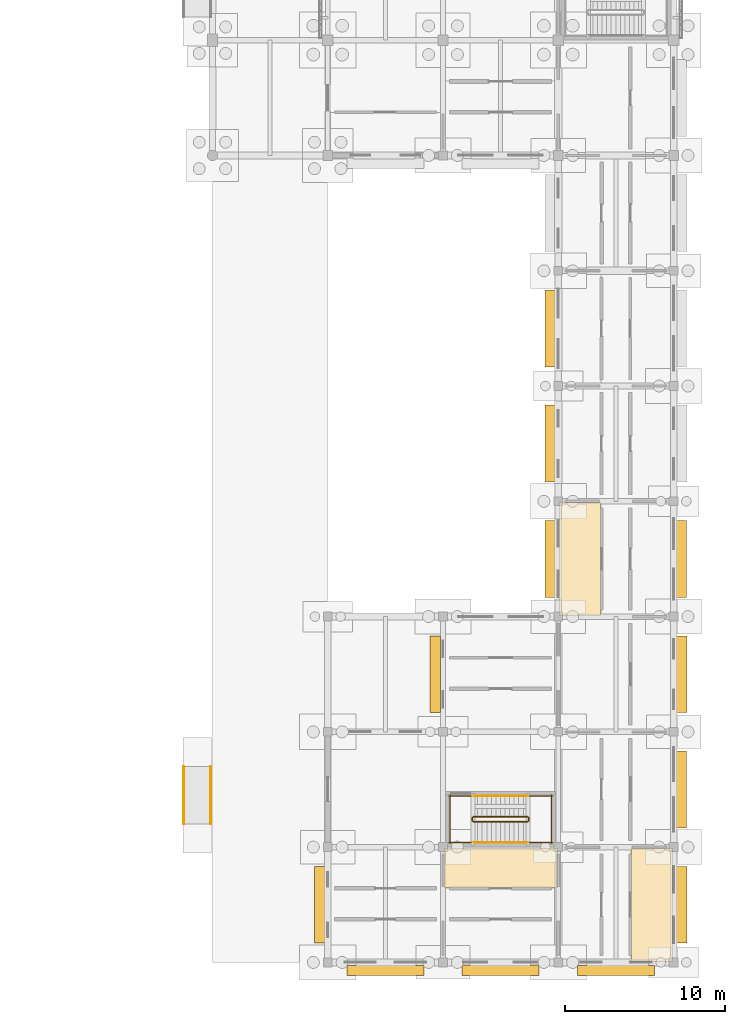
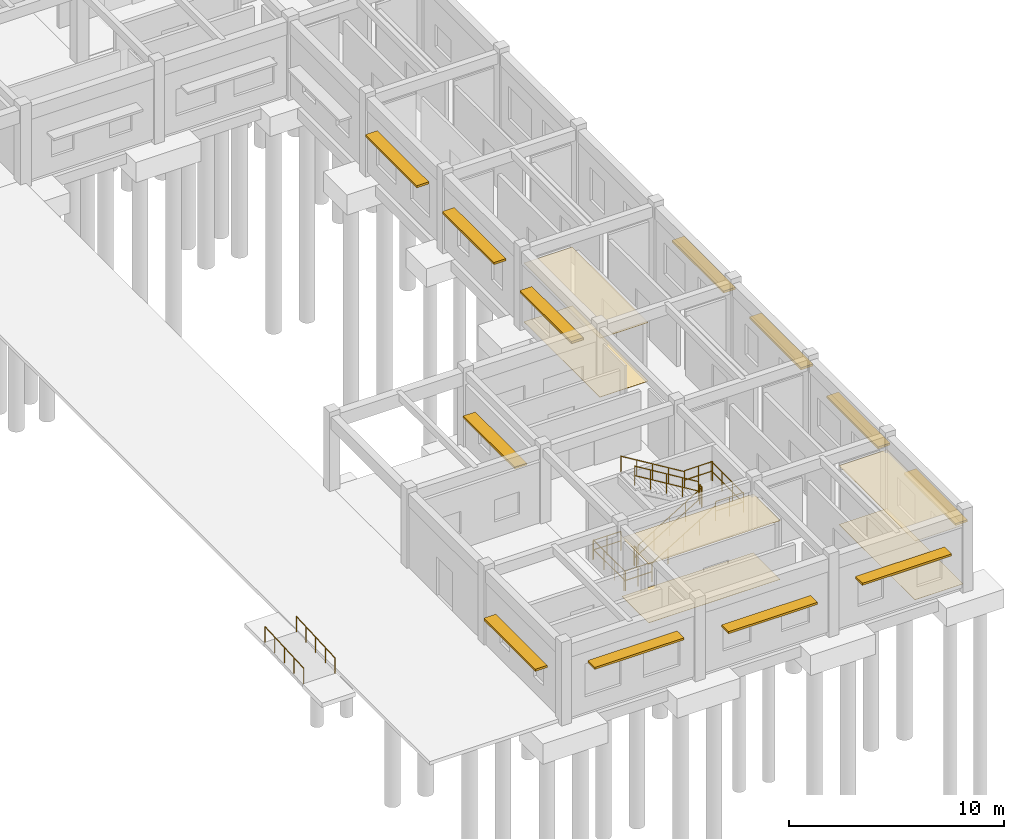
# One storey, part 107 of 111: 14 railings, 12 shading devices, 6 coverings.
"""IFC4 building model written with IfcOpenShell, lengths in metres."""

from ifc_helpers import new_model, si_unit, direction, frame, origin, origin_2d, place, context, subcontext, project, spatial, polyline, rectangle, circle, outline, extrude, material, layer, layer_set, type_object, element, save


model = new_model("IFC4")

# Units and contexts
model_context = context("Model", 3, precision=1e-05, world=origin(), true_north=direction((0.0, 1.0)))
body_context = subcontext(model_context, "Body", "Model", "MODEL_VIEW")
ifc_project = project(units=[si_unit("LENGTHUNIT", "METRE"), si_unit("AREAUNIT", "SQUARE_METRE"), si_unit("VOLUMEUNIT", "CUBIC_METRE"), si_unit("PLANEANGLEUNIT", "RADIAN"), si_unit("MASSUNIT", "GRAM", prefix="KILO")], contexts=[model_context])

# Site, building, storey
site_placement = place(None, origin())
site = spatial("IfcSite", under=ifc_project, at=site_placement, CompositionType="ELEMENT")
building_placement = place(site_placement, origin())
building = spatial("IfcBuilding", under=site, at=building_placement, Name="Aldebral Square Health Centre", CompositionType="ELEMENT")
storey_placement = place(building_placement, origin())
storey = spatial("IfcBuildingStorey", under=building, at=storey_placement, Name="L00", CompositionType="ELEMENT", Elevation=0.0)

# Coverings
ifc_material_1 = material(Name="Hygienic acoustic mineral ceiling tile")
ifc_layer_1 = layer(ifc_material_1, 0.02001953125, Name="Hygienic acoustic mineral ceiling tile")
ifc_layer_set_1 = layer_set([ifc_layer_1], Name="Hygienic acoustic mineral ceiling tile")
covering_type_1 = type_object("IfcCoveringType", Name="COV-CLG-AC", PredefinedType="CEILING", material=ifc_layer_set_1)
covering_1_placement = place(storey_placement, frame((0.0, 0.0, 3.340087890625)))
element("IfcCovering", 1, at=covering_1_placement, inside=storey, type_object=covering_type_1, Name="L00 Accessible WC 22.1N acoustic ceiling", PredefinedType="CEILING", context=body_context, shape_type="SweptSolid", body=[
    extrude(outline(polyline([(151.260009765625, 4.639892578125), (158.340087890625, 4.639892578125), (158.340087890625, 7.139892578125), (151.260009765625, 7.139892578125), (151.260009765625, 4.639892578125)])), origin(), (0.0, 0.0, 1.0), 0.02001953125),
])
covering_2_placement = place(storey_placement, frame((0.0, 0.0, 3.340087890625)))
element("IfcCovering", 2, at=covering_2_placement, inside=storey, type_object=covering_type_1, Name="L00 Gait Assessment Studio 23.1E acoustic ceiling", PredefinedType="CEILING", context=body_context, shape_type="SweptSolid", body=[
    extrude(outline(polyline([(162.93994140625, 0.06005859375), (165.5400390625, 0.06005859375), (165.5400390625, 7.139892578125), (162.93994140625, 7.139892578125), (162.93994140625, 0.06005859375)])), origin(), (0.0, 0.0, 1.0), 0.02001953125),
])
covering_3_placement = place(storey_placement, frame((0.0, 0.0, 3.340087890625)))
element("IfcCovering", 3, at=covering_3_placement, inside=storey, type_object=covering_type_1, Name="L00 Physiotherapy Cubicles 23.4W acoustic ceiling", PredefinedType="CEILING", context=body_context, shape_type="SweptSolid", body=[
    extrude(outline(polyline([(158.4599609375, 21.659912109375), (161.06005859375, 21.659912109375), (161.06005859375, 28.739990234375), (158.4599609375, 28.739990234375), (158.4599609375, 21.659912109375)])), origin(), (0.0, 0.0, 1.0), 0.02001953125),
])
ifc_material_2 = material(Name="Antimicrobial clinical vinyl flooring")
ifc_layer_2 = layer(ifc_material_2, 0.014892578125, Name="Antimicrobial clinical vinyl flooring")
ifc_layer_set_2 = layer_set([ifc_layer_2], Name="Antimicrobial clinical vinyl flooring")
covering_type_2 = type_object("IfcCoveringType", Name="COV-FLR-VN", PredefinedType="FLOORING", material=ifc_layer_set_2)
covering_4_placement = place(storey_placement, origin())
element("IfcCovering", 4, at=covering_4_placement, inside=storey, type_object=covering_type_2, Name="L00 Accessible WC 22.1N clinical flooring", PredefinedType="FLOORING", context=body_context, shape_type="SweptSolid", body=[
    extrude(outline(polyline([(151.260009765625, 4.639892578125), (158.340087890625, 4.639892578125), (158.340087890625, 7.139892578125), (151.260009765625, 7.139892578125), (151.260009765625, 4.639892578125)])), origin(), (0.0, 0.0, 1.0), 0.014892578125),
])
covering_5_placement = place(storey_placement, origin())
element("IfcCovering", 5, at=covering_5_placement, inside=storey, type_object=covering_type_2, Name="L00 Gait Assessment Studio 23.1E clinical flooring", PredefinedType="FLOORING", context=body_context, shape_type="SweptSolid", body=[
    extrude(outline(polyline([(162.93994140625, 0.06005859375), (165.5400390625, 0.06005859375), (165.5400390625, 7.139892578125), (162.93994140625, 7.139892578125), (162.93994140625, 0.06005859375)])), origin(), (0.0, 0.0, 1.0), 0.014892578125),
])
covering_6_placement = place(storey_placement, origin())
element("IfcCovering", 6, at=covering_6_placement, inside=storey, type_object=covering_type_2, Name="L00 Physiotherapy Cubicles 23.4W clinical flooring", PredefinedType="FLOORING", context=body_context, shape_type="SweptSolid", body=[
    extrude(outline(polyline([(158.4599609375, 21.659912109375), (161.06005859375, 21.659912109375), (161.06005859375, 28.739990234375), (158.4599609375, 28.739990234375), (158.4599609375, 21.659912109375)])), origin(), (0.0, 0.0, 1.0), 0.014892578125),
])

# Railings
ifc_material_3 = material(Name="Stainless steel handrail", Category="steel")
railing_type_1 = type_object("IfcRailingType", Name="RL-RMP-HND", PredefinedType="HANDRAIL", material=ifc_material_3)
for number, where, name in (
    (7, (136.68994140625, 8.639892578125, -0.179931640625), "Therapy Pavilion Square Ramp handrail 1"),
    (8, (135.010009765625, 8.639892578125, -0.179931640625), "Therapy Pavilion Square Ramp handrail 2"),
):
    element("IfcRailing", number, at=place(storey_placement, frame(where)), inside=storey, type_object=railing_type_1, Name=name, PredefinedType="HANDRAIL", context=body_context, shape_type="SweptSolid", body=[
        extrude(circle(Radius=0.02392578125, at=origin_2d()), frame((0.0, 0.0, 0.8759765625), z_axis=(0.0, 0.998753352096, 0.049917348467), x_axis=(-1.0, 0.0, 0.0)), (0.0, 0.0, 1.0), 3.6044921875),
        extrude(circle(Radius=0.02099609375, at=origin_2d()), origin(), (0.0, 0.0, 1.0), 0.851806640625),
        extrude(circle(Radius=0.02099609375, at=origin_2d()), frame((0.0, 0.89990234375, 0.044921875)), (0.0, 0.0, 1.0), 0.851806640625),
        extrude(circle(Radius=0.02099609375, at=origin_2d()), frame((0.0, 1.800048828125, 0.08984375)), (0.0, 0.0, 1.0), 0.851806640625),
        extrude(circle(Radius=0.02099609375, at=origin_2d()), frame((0.0, 2.7001953125, 0.135009765625)), (0.0, 0.0, 1.0), 0.851806640625),
        extrude(circle(Radius=0.02099609375, at=origin_2d()), frame((0.0, 3.60009765625, 0.179931640625)), (0.0, 0.0, 1.0), 0.851806640625),
    ])
ifc_material_4 = material(Name="Painted steel S355JR stair guard", Category="steel")
railing_type_2 = type_object("IfcRailingType", Name="RL-ST-GRD", PredefinedType="GUARDRAIL", material=ifc_material_4)
railing_1_placement = place(storey_placement, frame((153.080078125, 8.7900390625, 0.173095703125)))
element("IfcRailing", 9, at=railing_1_placement, inside=storey, type_object=railing_type_2, Name="L00 ST-08 stair guard 1", PredefinedType="GUARDRAIL", context=body_context, shape_type="SweptSolid", body=[
    extrude(circle(Radius=0.02392578125, at=origin_2d()), frame((0.0, 0.0, 1.09619140625), z_axis=(0.854729506542, 0.0, 0.519073665916), x_axis=(0.0, 1.0, 0.0)), (0.0, 0.0, 1.0), 4.001220703125),
    extrude(circle(Radius=0.02392578125, at=origin_2d()), frame((0.0, 0.0, 0.56005859375), z_axis=(0.854729506542, 0.0, 0.519073665916), x_axis=(0.0, 1.0, 0.0)), (0.0, 0.0, 1.0), 4.001220703125),
    extrude(circle(Radius=0.02099609375, at=origin_2d()), origin(), (0.0, 0.0, 1.0), 1.072021484375),
    extrude(circle(Radius=0.02099609375, at=origin_2d()), frame((0.85498046875, 0.0, 0.519287109375)), (0.0, 0.0, 1.0), 1.072021484375),
    extrude(circle(Radius=0.02099609375, at=origin_2d()), frame((1.7099609375, 0.0, 1.03857421875)), (0.0, 0.0, 1.0), 1.072021484375),
    extrude(circle(Radius=0.02099609375, at=origin_2d()), frame((2.56494140625, 0.0, 1.5576171875)), (0.0, 0.0, 1.0), 1.072021484375),
    extrude(circle(Radius=0.02099609375, at=origin_2d()), frame((3.419921875, 0.0, 2.076904296875)), (0.0, 0.0, 1.0), 1.072021484375),
])
railing_2_placement = place(storey_placement, frame((156.550048828125, 8.840087890625, 2.25)))
element("IfcRailing", 10, at=railing_2_placement, inside=storey, type_object=railing_type_2, Name="L00 ST-08 stair guard 2", PredefinedType="GUARDRAIL", context=body_context, shape_type="SweptSolid", body=[
    extrude(circle(Radius=0.02392578125, at=origin_2d()), frame((0.0, 0.0, 1.09619140625), z_axis=(0.0, 1.0, 0.0), x_axis=(-1.0, 0.0, 0.0)), (0.0, 0.0, 1.0), 0.199951171875),
    extrude(circle(Radius=0.02392578125, at=origin_2d()), frame((0.0, 0.0, 0.56005859375), z_axis=(0.0, 1.0, 0.0), x_axis=(-1.0, 0.0, 0.0)), (0.0, 0.0, 1.0), 0.199951171875),
    extrude(circle(Radius=0.02099609375, at=origin_2d()), origin(), (0.0, 0.0, 1.0), 1.072021484375),
    extrude(circle(Radius=0.02099609375, at=origin_2d()), frame((0.0, 0.199951171875, 0.0)), (0.0, 0.0, 1.0), 1.072021484375),
])
for number, where, name in (
    (11, (156.5, 7.489990234375, 2.25), "L00 ST-08 stair guard 3"),
    (12, (156.5, 10.389892578125, 2.25), "L00 ST-08 stair guard 4"),
):
    element("IfcRailing", number, at=place(storey_placement, frame(where)), inside=storey, type_object=railing_type_2, Name=name, PredefinedType="GUARDRAIL", context=body_context, shape_type="SweptSolid", body=[
        extrude(circle(Radius=0.02392578125, at=origin_2d()), frame((0.0, 0.0, 1.09619140625), z_axis=(1.0, 0.0, 0.0), x_axis=(0.0, 1.0, 0.0)), (0.0, 0.0, 1.0), 1.52001953125),
        extrude(circle(Radius=0.02392578125, at=origin_2d()), frame((0.0, 0.0, 0.56005859375), z_axis=(1.0, 0.0, 0.0), x_axis=(0.0, 1.0, 0.0)), (0.0, 0.0, 1.0), 1.52001953125),
        extrude(circle(Radius=0.02099609375, at=origin_2d()), origin(), (0.0, 0.0, 1.0), 1.072021484375),
        extrude(circle(Radius=0.02099609375, at=origin_2d()), frame((0.760009765625, 0.0, 0.0)), (0.0, 0.0, 1.0), 1.072021484375),
        extrude(circle(Radius=0.02099609375, at=origin_2d()), frame((1.52001953125, 0.0, 0.0)), (0.0, 0.0, 1.0), 1.072021484375),
    ])
railing_3_placement = place(storey_placement, frame((157.969970703125, 7.43994140625, 2.25)))
element("IfcRailing", 13, at=railing_3_placement, inside=storey, type_object=railing_type_2, Name="L00 ST-08 stair guard 5", PredefinedType="GUARDRAIL", context=body_context, shape_type="SweptSolid", body=[
    extrude(circle(Radius=0.02392578125, at=origin_2d()), frame((0.0, 0.0, 1.09619140625), z_axis=(0.0, 1.0, 0.0), x_axis=(-1.0, 0.0, 0.0)), (0.0, 0.0, 1.0), 3.0),
    extrude(circle(Radius=0.02392578125, at=origin_2d()), frame((0.0, 0.0, 0.56005859375), z_axis=(0.0, 1.0, 0.0), x_axis=(-1.0, 0.0, 0.0)), (0.0, 0.0, 1.0), 3.0),
    extrude(circle(Radius=0.02099609375, at=origin_2d()), origin(), (0.0, 0.0, 1.0), 1.072021484375),
    extrude(circle(Radius=0.02099609375, at=origin_2d()), frame((0.0, 1.0, 0.0)), (0.0, 0.0, 1.0), 1.072021484375),
    extrude(circle(Radius=0.02099609375, at=origin_2d()), frame((0.0, 2.0, 0.0)), (0.0, 0.0, 1.0), 1.072021484375),
    extrude(circle(Radius=0.02099609375, at=origin_2d()), frame((0.0, 3.0, 0.0)), (0.0, 0.0, 1.0), 1.072021484375),
])
railing_4_placement = place(storey_placement, frame((156.5, 9.090087890625, 2.423095703125)))
element("IfcRailing", 14, at=railing_4_placement, inside=storey, type_object=railing_type_2, Name="L00 ST-08 stair guard 6", PredefinedType="GUARDRAIL", context=body_context, shape_type="SweptSolid", body=[
    extrude(circle(Radius=0.02392578125, at=origin_2d()), frame((0.0, 0.0, 1.09619140625), z_axis=(-0.854729506542, 0.0, 0.519073665916), x_axis=(0.0, -1.0, 0.0)), (0.0, 0.0, 1.0), 4.001220703125),
    extrude(circle(Radius=0.02392578125, at=origin_2d()), frame((0.0, 0.0, 0.56005859375), z_axis=(-0.854729506542, 0.0, 0.519073665916), x_axis=(0.0, -1.0, 0.0)), (0.0, 0.0, 1.0), 4.001220703125),
    extrude(circle(Radius=0.02099609375, at=origin_2d()), origin(), (0.0, 0.0, 1.0), 1.072021484375),
    extrude(circle(Radius=0.02099609375, at=origin_2d()), frame((-0.85498046875, 0.0, 0.519287109375)), (0.0, 0.0, 1.0), 1.072021484375),
    extrude(circle(Radius=0.02099609375, at=origin_2d()), frame((-1.7099609375, 0.0, 1.03857421875)), (0.0, 0.0, 1.0), 1.072021484375),
    extrude(circle(Radius=0.02099609375, at=origin_2d()), frame((-2.56494140625, 0.0, 1.5576171875)), (0.0, 0.0, 1.0), 1.072021484375),
    extrude(circle(Radius=0.02099609375, at=origin_2d()), frame((-3.419921875, 0.0, 2.076904296875)), (0.0, 0.0, 1.0), 1.072021484375),
])
railing_5_placement = place(storey_placement, frame((153.030029296875, 8.840087890625, 0.0)))
element("IfcRailing", 15, at=railing_5_placement, inside=storey, type_object=railing_type_2, Name="L00 ST-08 stair guard 7", PredefinedType="GUARDRAIL", context=body_context, shape_type="SweptSolid", body=[
    extrude(circle(Radius=0.02392578125, at=origin_2d()), frame((0.0, 0.0, 1.09619140625), z_axis=(0.0, 1.0, 0.0), x_axis=(-1.0, 0.0, 0.0)), (0.0, 0.0, 1.0), 0.199951171875),
    extrude(circle(Radius=0.02392578125, at=origin_2d()), frame((0.0, 0.0, 0.56005859375), z_axis=(0.0, 1.0, 0.0), x_axis=(-1.0, 0.0, 0.0)), (0.0, 0.0, 1.0), 0.199951171875),
    extrude(circle(Radius=0.02099609375, at=origin_2d()), origin(), (0.0, 0.0, 1.0), 1.072021484375),
    extrude(circle(Radius=0.02099609375, at=origin_2d()), frame((0.0, 0.199951171875, 0.0)), (0.0, 0.0, 1.0), 1.072021484375),
])
for number, where, name in (
    (16, (151.580078125, 7.489990234375, 0.0), "L00 ST-08 stair guard 8"),
    (17, (151.580078125, 10.389892578125, 0.0), "L00 ST-08 stair guard 9"),
):
    element("IfcRailing", number, at=place(storey_placement, frame(where)), inside=storey, type_object=railing_type_2, Name=name, PredefinedType="GUARDRAIL", context=body_context, shape_type="SweptSolid", body=[
        extrude(circle(Radius=0.02392578125, at=origin_2d()), frame((0.0, 0.0, 1.09619140625), z_axis=(1.0, 0.0, 0.0), x_axis=(0.0, 1.0, 0.0)), (0.0, 0.0, 1.0), 1.5),
        extrude(circle(Radius=0.02392578125, at=origin_2d()), frame((0.0, 0.0, 0.56005859375), z_axis=(1.0, 0.0, 0.0), x_axis=(0.0, 1.0, 0.0)), (0.0, 0.0, 1.0), 1.5),
        extrude(circle(Radius=0.02099609375, at=origin_2d()), origin(), (0.0, 0.0, 1.0), 1.072021484375),
        extrude(circle(Radius=0.02099609375, at=origin_2d()), frame((0.75, 0.0, 0.0)), (0.0, 0.0, 1.0), 1.072021484375),
        extrude(circle(Radius=0.02099609375, at=origin_2d()), frame((1.5, 0.0, 0.0)), (0.0, 0.0, 1.0), 1.072021484375),
    ])
railing_6_placement = place(storey_placement, frame((151.6298828125, 7.43994140625, 0.0)))
element("IfcRailing", 18, at=railing_6_placement, inside=storey, type_object=railing_type_2, Name="L00 ST-08 stair guard 10", PredefinedType="GUARDRAIL", context=body_context, shape_type="SweptSolid", body=[
    extrude(circle(Radius=0.02392578125, at=origin_2d()), frame((0.0, 0.0, 1.09619140625), z_axis=(0.0, 1.0, 0.0), x_axis=(-1.0, 0.0, 0.0)), (0.0, 0.0, 1.0), 3.0),
    extrude(circle(Radius=0.02392578125, at=origin_2d()), frame((0.0, 0.0, 0.56005859375), z_axis=(0.0, 1.0, 0.0), x_axis=(-1.0, 0.0, 0.0)), (0.0, 0.0, 1.0), 3.0),
    extrude(circle(Radius=0.02099609375, at=origin_2d()), origin(), (0.0, 0.0, 1.0), 1.072021484375),
    extrude(circle(Radius=0.02099609375, at=origin_2d()), frame((0.0, 1.0, 0.0)), (0.0, 0.0, 1.0), 1.072021484375),
    extrude(circle(Radius=0.02099609375, at=origin_2d()), frame((0.0, 2.0, 0.0)), (0.0, 0.0, 1.0), 1.072021484375),
    extrude(circle(Radius=0.02099609375, at=origin_2d()), frame((0.0, 3.0, 0.0)), (0.0, 0.0, 1.0), 1.072021484375),
])
ifc_material_5 = material(Name="Brushed stainless steel handrail", Category="steel")
railing_type_3 = type_object("IfcRailingType", Name="RL-ST-HND", PredefinedType="HANDRAIL", material=ifc_material_5)
railing_7_placement = place(storey_placement, frame((153.080078125, 7.489990234375, 0.173095703125)))
element("IfcRailing", 19, at=railing_7_placement, inside=storey, type_object=railing_type_3, Name="L00 ST-08 stair handrail 1", PredefinedType="HANDRAIL", context=body_context, shape_type="SweptSolid", body=[
    extrude(circle(Radius=0.02392578125, at=origin_2d()), frame((0.0, 0.0, 0.8759765625), z_axis=(0.854729506542, 0.0, 0.519073665916), x_axis=(0.0, 1.0, 0.0)), (0.0, 0.0, 1.0), 4.001220703125),
    extrude(circle(Radius=0.02099609375, at=origin_2d()), origin(), (0.0, 0.0, 1.0), 0.851806640625),
    extrude(circle(Radius=0.02099609375, at=origin_2d()), frame((0.85498046875, 0.0, 0.519287109375)), (0.0, 0.0, 1.0), 0.851806640625),
    extrude(circle(Radius=0.02099609375, at=origin_2d()), frame((1.7099609375, 0.0, 1.03857421875)), (0.0, 0.0, 1.0), 0.851806640625),
    extrude(circle(Radius=0.02099609375, at=origin_2d()), frame((2.56494140625, 0.0, 1.5576171875)), (0.0, 0.0, 1.0), 0.851806640625),
    extrude(circle(Radius=0.02099609375, at=origin_2d()), frame((3.419921875, 0.0, 2.076904296875)), (0.0, 0.0, 1.0), 0.851806640625),
])
railing_8_placement = place(storey_placement, frame((156.5, 10.389892578125, 2.423095703125)))
element("IfcRailing", 20, at=railing_8_placement, inside=storey, type_object=railing_type_3, Name="L00 ST-08 stair handrail 2", PredefinedType="HANDRAIL", context=body_context, shape_type="SweptSolid", body=[
    extrude(circle(Radius=0.02392578125, at=origin_2d()), frame((0.0, 0.0, 0.8759765625), z_axis=(-0.854729506542, 0.0, 0.519073665916), x_axis=(0.0, -1.0, 0.0)), (0.0, 0.0, 1.0), 4.001220703125),
    extrude(circle(Radius=0.02099609375, at=origin_2d()), origin(), (0.0, 0.0, 1.0), 0.851806640625),
    extrude(circle(Radius=0.02099609375, at=origin_2d()), frame((-0.85498046875, 0.0, 0.519287109375)), (0.0, 0.0, 1.0), 0.851806640625),
    extrude(circle(Radius=0.02099609375, at=origin_2d()), frame((-1.7099609375, 0.0, 1.03857421875)), (0.0, 0.0, 1.0), 0.851806640625),
    extrude(circle(Radius=0.02099609375, at=origin_2d()), frame((-2.56494140625, 0.0, 1.5576171875)), (0.0, 0.0, 1.0), 0.851806640625),
    extrude(circle(Radius=0.02099609375, at=origin_2d()), frame((-3.419921875, 0.0, 2.076904296875)), (0.0, 0.0, 1.0), 0.851806640625),
])

# Shading devices
ifc_material_6 = material(Name="Sienna-terracotta solar hood", Category="masonry")
shading_device_type = type_object("IfcShadingDeviceType", Name="SHD-LVR-1", PredefinedType="JALOUSIE", material=ifc_material_6)
for number, where, z_axis, x_axis, name in (
    (21, (147.60009765625, -0.5048828125, 2.800048828125), (0.0, 0.0, 1.0), (1.0, 0.0, 0.0), "L00 solar hood L00-V3-20-00-S"),
    (22, (143.4951171875, 3.60009765625, 2.169921875), (0.0, 0.0, 1.0), (0.0, 1.0, 0.0), "L00 solar hood L00-V3-20-00-W"),
    (23, (154.800048828125, -0.4951171875, 2.300048828125), (0.0, 0.0, 1.0), (1.0, 0.0, 0.0), "L00 solar hood L00-V3-21-00-S"),
    (24, (150.705078125, 18.0, 2.419921875), (0.0, 0.0, 1.0), (0.0, 1.0, 0.0), "L00 solar hood L00-V3-21-02-W"),
    (25, (162.0, -0.5048828125, 2.5400390625), (0.0, 0.0, 1.0), (1.0, 0.0, 0.0), "L00 solar hood L00-V3-22-00-S"),
    (26, (166.10498046875, 3.60009765625, 2.5400390625), (0.0, 0.0, 1.0), (0.0, 1.0, 0.0), "L00 solar hood L00-V3-22-00-E"),
    (27, (166.094970703125, 10.800048828125, 2.5400390625), (0.0, 0.0, 1.0), (0.0, 1.0, 0.0), "L00 solar hood L00-V3-22-01-E"),
    (28, (166.10498046875, 18.0, 2.669921875), (0.0, 0.0, 1.0), (0.0, 1.0, 0.0), "L00 solar hood L00-V3-22-02-E"),
    (29, (157.905029296875, 25.199951171875, 2.669921875), (0.0, 0.0, 1.0), (0.0, 1.0, 0.0), "L00 solar hood L00-V3-22-03-W"),
    (30, (166.094970703125, 25.199951171875, 2.669921875), (0.0, 0.0, 1.0), (0.0, 1.0, 0.0), "L00 solar hood L00-V3-22-03-E"),
    (31, (157.89501953125, 32.39990234375, 2.800048828125), (0.0, 0.0, 1.0), (0.0, 1.0, 0.0), "L00 solar hood L00-V3-22-04-W"),
    (32, (157.905029296875, 39.60009765625, 2.800048828125), (0.0, 0.0, 1.0), (0.0, 1.0, 0.0), "L00 solar hood L00-V3-22-05-W"),
):
    element("IfcShadingDevice", number, at=place(storey_placement, frame(where, z_axis=z_axis, x_axis=x_axis)), inside=storey, type_object=shading_device_type, Name=name, PredefinedType="JALOUSIE", context=body_context, shape_type="SweptSolid", body=[
        extrude(rectangle(XDim=4.800048828125, YDim=0.64990234375, at=origin_2d()), origin(), (0.0, 0.0, 1.0), 0.1201171875),
    ])

save(model, "model.ifc")
